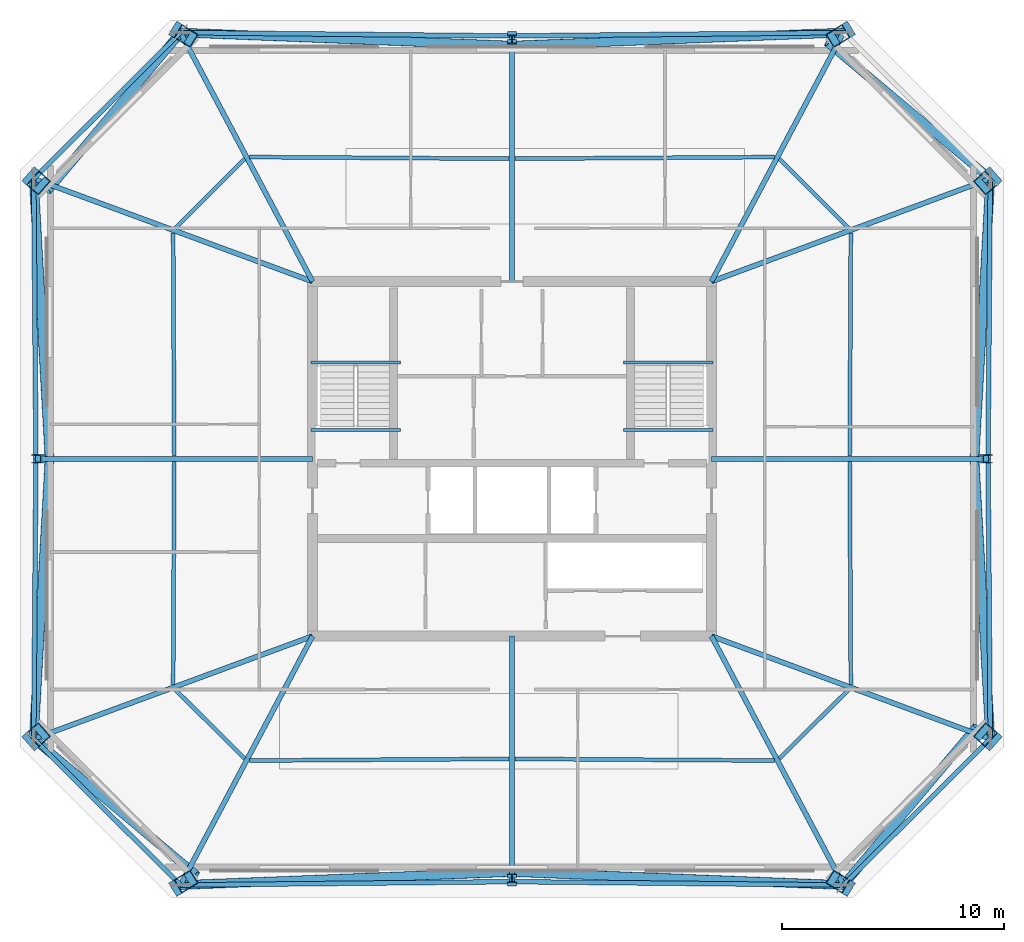
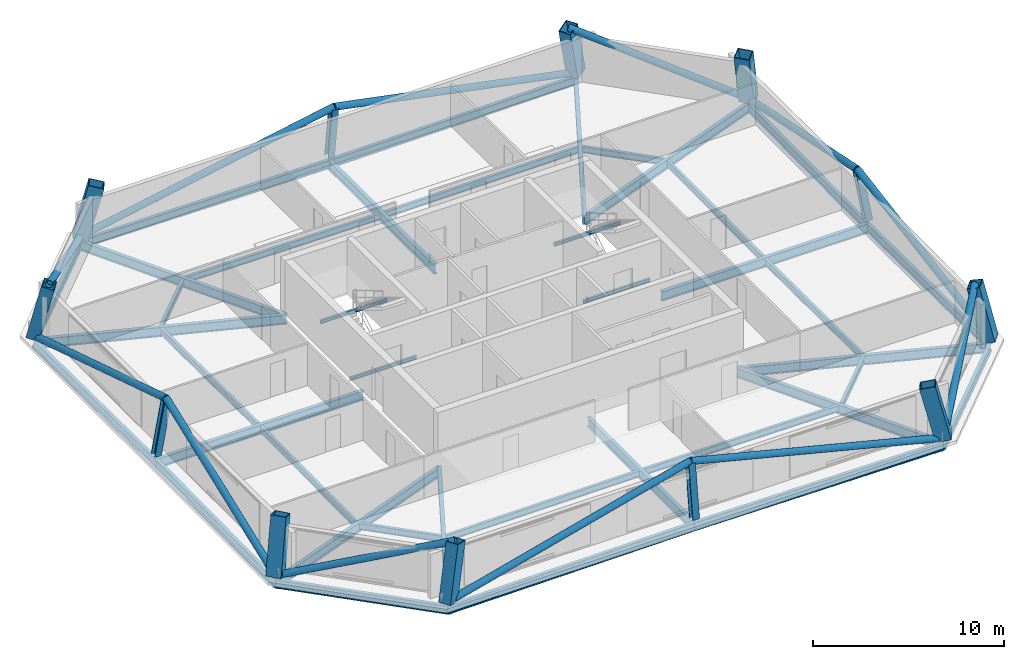
# One storey, part 1 of 6: 39 beams, 12 columns, 12 members.
"""IFC4 building model written with IfcOpenShell, lengths in metres."""

import ifcopenshell
import ifcopenshell.guid

model = None  # the IFC model being written
_history = None  # IfcOwnerHistory: only IFC2X3 demands one
_inside = {}  # id of a spatial element -> (the spatial element, [elements in it])
_under = {}  # id of a project, library or spatial element -> (it, [spatial elements below it])
_declared = {}  # id of a project -> (the project, [libraries it declares])
_typed = {}  # id of a type object -> (the type object, [elements of that type])
_made_of = {}  # id of a material, layer set ... -> (it, [elements and type objects made of it])


def new_model(schema):
    """Start an empty IFC model of exactly this schema.

    Asked for "IFC4X3", IfcOpenShell would pick the latest addendum, in which some entities
    have other attributes; the version numbers below select the first issue.
    IFC2X3 requires an IfcOwnerHistory on every rooted entity: one is made here for all.
    """
    global model, _history
    if schema == "IFC4X3":
        model = ifcopenshell.file(schema_version=(4, 3, 0, 0))
    else:
        model = ifcopenshell.file(schema=schema)
    _inside.clear()
    _under.clear()
    _declared.clear()
    _typed.clear()
    _made_of.clear()
    _history = None
    if model.schema == "IFC2X3":
        org = make("IfcOrganization", Name="unknown")
        user = make(
            "IfcPersonAndOrganization",
            ThePerson=make("IfcPerson", FamilyName="unknown"),
            TheOrganization=org,
        )
        app = make(
            "IfcApplication",
            ApplicationDeveloper=org,
            Version="unknown",
            ApplicationFullName="unknown",
            ApplicationIdentifier="unknown",
        )
        _history = make(
            "IfcOwnerHistory",
            OwningUser=user,
            OwningApplication=app,
            ChangeAction="ADDED",
            CreationDate=0,
        )
    return model


def make(cls, **values):
    """One entity of the class cls with the attributes given. An attribute that is None is left unset."""
    return model.create_entity(
        cls, **{name: value for name, value in values.items() if value is not None}
    )


def rooted(cls, **values):
    """An entity with a GlobalId (a new one), such as an element, a storey or a relation."""
    return make(cls, GlobalId=ifcopenshell.guid.new(), OwnerHistory=_history, **values)


def si_unit(unit_type, name, prefix=None):
    """IfcSIUnit, for example si_unit("LENGTHUNIT", "METRE", prefix="MILLI")."""
    return make("IfcSIUnit", UnitType=unit_type, Prefix=prefix, Name=name)


def assignment(units):
    """IfcUnitAssignment: the units of a project."""
    return None if units is None else make("IfcUnitAssignment", Units=units)


def point(xyz):
    """IfcCartesianPoint."""
    return None if xyz is None else make("IfcCartesianPoint", Coordinates=xyz)


def direction(xyz):
    """IfcDirection."""
    return None if xyz is None else make("IfcDirection", DirectionRatios=xyz)


def frame(location, z_axis=None, x_axis=None):
    """IfcAxis2Placement3D, a coordinate frame: its origin and axes. An axis left out is left unset."""
    return make(
        "IfcAxis2Placement3D",
        Location=point(location),
        Axis=direction(z_axis),
        RefDirection=direction(x_axis),
    )


def frame_2d(location, x_axis=None):
    """IfcAxis2Placement2D, a coordinate frame in the plane: its origin and x axis."""
    return make(
        "IfcAxis2Placement2D", Location=point(location), RefDirection=direction(x_axis)
    )


def origin():
    """The frame at (0, 0, 0) with its axes left unset."""
    return frame((0.0, 0.0, 0.0))


def origin_2d():
    """The frame at (0, 0) in the plane with its x axis left unset."""
    return frame_2d((0.0, 0.0))


def place(relative_to, where):
    """IfcLocalPlacement: puts the frame where relative to a parent placement (None: the world)."""
    return make(
        "IfcLocalPlacement", PlacementRelTo=relative_to, RelativePlacement=where
    )


def context(
    kind, dimensions, precision=None, world=None, true_north=None, identifier=None
):
    """IfcGeometricRepresentationContext, for example the 3D "Model" context."""
    return make(
        "IfcGeometricRepresentationContext",
        ContextIdentifier=identifier,
        ContextType=kind,
        CoordinateSpaceDimension=dimensions,
        Precision=precision,
        WorldCoordinateSystem=world,
        TrueNorth=true_north,
    )


def subcontext(parent, identifier, kind, view, scale=None):
    """IfcGeometricRepresentationSubContext, for example "Body" below "Model"."""
    return make(
        "IfcGeometricRepresentationSubContext",
        ContextIdentifier=identifier,
        ContextType=kind,
        ParentContext=parent,
        TargetScale=scale,
        TargetView=view,
    )


def project(units=None, contexts=None):
    """IfcProject with its units and contexts."""
    return rooted(
        "IfcProject",
        Name="project",
        RepresentationContexts=contexts,
        UnitsInContext=assignment(units),
    )


def spatial(cls, under=None, at=None, **own):
    """A site, building, storey or space (cls), placed at a placement, below another one or the project."""
    s = rooted(cls, ObjectPlacement=at, **own)
    if under is not None:
        _under.setdefault(under.id(), (under, []))[1].append(s)
    return s


def profile(cls, at=None, kind="AREA", **sizes):
    """A parametric profile (cls). Its sizes go by their IFC names, for example OverallWidth=200.0."""
    return make(cls, ProfileType=kind, Position=at, **sizes)


def hollow_rectangle(**sizes):
    """IfcRectangleHollowProfileDef."""
    return profile("IfcRectangleHollowProfileDef", **sizes)


def hollow_circle(**sizes):
    """IfcCircleHollowProfileDef."""
    return profile("IfcCircleHollowProfileDef", **sizes)


def i_section(**sizes):
    """IfcIShapeProfileDef."""
    return profile("IfcIShapeProfileDef", **sizes)


def extrude(swept, where, along, depth):
    """IfcExtrudedAreaSolid: the profile swept, set in the frame where, extruded along a direction by depth."""
    return make(
        "IfcExtrudedAreaSolid",
        SweptArea=swept,
        Position=where,
        ExtrudedDirection=direction(along),
        Depth=depth,
    )


def shape(context_of_items, identifier, shape_type, items):
    """IfcShapeRepresentation: the items that make up one representation, for example the "Body"."""
    return make(
        "IfcShapeRepresentation",
        ContextOfItems=context_of_items,
        RepresentationIdentifier=identifier,
        RepresentationType=shape_type,
        Items=items,
    )


def material(Name=None, Category=None):
    """IfcMaterial."""
    return make("IfcMaterial", Name=Name, Category=Category)


def material_profile(
    of_material, cross_section, Name=None, Category=None, Priority=None
):
    """IfcMaterialProfile: a cross section and its material."""
    return make(
        "IfcMaterialProfile",
        Name=Name,
        Material=of_material,
        Profile=cross_section,
        Priority=Priority,
        Category=Category,
    )


def profile_set(profiles, Name=None, composite=None):
    """IfcMaterialProfileSet."""
    return make(
        "IfcMaterialProfileSet",
        Name=Name,
        MaterialProfiles=profiles,
        CompositeProfile=composite,
    )


def made_of(thing, what):
    """Note that an element or type object is made of a material, layer set ...; save() writes the relation."""
    if what is not None:
        _made_of.setdefault(what.id(), (what, []))[1].append(thing)
    return thing


def type_object(cls, material=None, **own):
    """A type object (cls), such as IfcWallType, which elements share."""
    return made_of(rooted(cls, **own), material)


def element(
    cls,
    number,
    at=None,
    inside=None,
    cuts=None,
    type_object=None,
    material=None,
    context=None,
    identifier="Body",
    shape_type=None,
    held_by="IfcProductDefinitionShape",
    body=None,
    shapes=None,
    **own,
):
    """One element of the class cls, such as IfcWall. Its Tag is "e" and its number.

    at: its placement. inside: the storey or other place that contains it. cuts: it is an
    opening in that element (IfcRelVoidsElement). A single representation is given by context,
    identifier, shape_type and body (its items); several are given by shapes. held_by: the class
    of the entity that holds the representations. save() writes the other relations.
    """
    e = rooted(cls, Tag="e%d" % number, ObjectPlacement=at, **own)
    if body is not None:
        shapes = [shape(context, identifier, shape_type, body)]
    if shapes is not None:
        e.Representation = make(held_by, Representations=shapes)
    if inside is not None:
        _inside.setdefault(inside.id(), (inside, []))[1].append(e)
    if cuts is not None:
        rooted(
            "IfcRelVoidsElement", RelatingBuildingElement=cuts, RelatedOpeningElement=e
        )
    if type_object is not None:
        _typed.setdefault(type_object.id(), (type_object, []))[1].append(e)
    return made_of(e, material)


def aggregate(whole, parts):
    """IfcRelAggregates: a whole, such as a stair, and the parts it consists of."""
    return rooted("IfcRelAggregates", RelatingObject=whole, RelatedObjects=parts)


def save(model, path):
    """Write the relations noted so far, then the file.

    IfcRelAggregates (storeys below a building ...), IfcRelContainedInSpatialStructure (elements
    in a storey), IfcRelDefinesByType, IfcRelAssociatesMaterial and IfcRelDeclares: one each for
    every whole, place, type object, material and project.
    """
    for whole, parts in _under.values():
        aggregate(whole, parts)
    for where, things in _inside.values():
        rooted(
            "IfcRelContainedInSpatialStructure",
            RelatedElements=things,
            RelatingStructure=where,
        )
    for kind, things in _typed.values():
        rooted("IfcRelDefinesByType", RelatedObjects=things, RelatingType=kind)
    for what, things in _made_of.values():
        rooted("IfcRelAssociatesMaterial", RelatedObjects=things, RelatingMaterial=what)
    for by, libraries in _declared.values():
        rooted("IfcRelDeclares", RelatingContext=by, RelatedDefinitions=libraries)
    model.write(path)


model = new_model("IFC4")

# Units and contexts
model_context = context("Model", 3, precision=1e-05, world=origin(), true_north=direction((0.0, 1.0)))
body_context = subcontext(model_context, "Body", "Model", "MODEL_VIEW")
ifc_project = project(units=[si_unit("LENGTHUNIT", "METRE"), si_unit("AREAUNIT", "SQUARE_METRE"), si_unit("VOLUMEUNIT", "CUBIC_METRE"), si_unit("PLANEANGLEUNIT", "RADIAN"), si_unit("MASSUNIT", "GRAM", prefix="KILO")], contexts=[model_context])

# Site, building, storey
site_placement = place(None, origin())
site = spatial("IfcSite", under=ifc_project, at=site_placement, CompositionType="ELEMENT")
building_placement = place(site_placement, origin())
building = spatial("IfcBuilding", under=site, at=building_placement, Name="Caelvoria Tower", CompositionType="ELEMENT")
storey_placement = place(building_placement, frame((0.0, 0.0, 205.800048828125)))
storey = spatial("IfcBuildingStorey", under=building, at=storey_placement, Name="L54", CompositionType="ELEMENT", Elevation=205.800048828125)

# Columns
ifc_material_1 = material(Name="Structural Steel ASTM A572 Gr.50", Category="steel")
ifc_material_profile_1 = material_profile(ifc_material_1, hollow_rectangle(XDim=0.699951171875, YDim=0.85009765625, WallThickness=0.0400390625, at=origin_2d()), Name="Structural Steel ASTM A572 Gr.50")
ifc_profile_set_1 = profile_set([ifc_material_profile_1], Name="BOX850X700X40 - Structural Steel ASTM A572 Gr.50")
column_type_1 = type_object("IfcColumnType", Name="Mega Box Column 850x700x40", PredefinedType="COLUMN", material=ifc_profile_set_1)
for number, where, z_axis, x_axis, name in (
    (1, (31.0419921875, 12.768310546875, 0.0), (0.205843312043, 0.127115794881, 0.970293824354), (-0.52542489629, 0.850839983992, 0.0), "Perimeter Megaframe Column L54-P00"),
    (2, (60.9580078125, 12.768310546875, 0.0), (-0.205843312043, 0.127115794881, 0.970293824354), (-0.52542489629, -0.850839983992, 0.0), "Perimeter Megaframe Column L54-P02"),
):
    element("IfcColumn", number, at=place(storey_placement, frame(where, z_axis=z_axis, x_axis=x_axis)), inside=storey, type_object=column_type_1, Name=name, PredefinedType="COLUMN", context=body_context, shape_type="SweptSolid", body=[
        extrude(hollow_rectangle(XDim=0.699951171875, YDim=0.85009765625, WallThickness=0.0400390625, at=origin_2d()), origin(), (0.0, 0.0, 1.0), 3.476318359375),
    ])
for number, where, z_axis, x_axis, name in (
    (3, (67.57861328125, 19.36376953125, 0.0), (-0.177376248603, 0.15599544782, 0.971701130333), (0.729664280034, -0.64171109164, 0.236213702628), "Perimeter Megaframe Column L54-P03"),
    (4, (67.57861328125, 44.63623046875, 0.0), (-0.177376248603, -0.15599544782, 0.971701130333), (0.729664280034, 0.64171109164, 0.236213702628), "Perimeter Megaframe Column L54-P05"),
):
    element("IfcColumn", number, at=place(storey_placement, frame(where, z_axis=z_axis, x_axis=x_axis)), inside=storey, type_object=column_type_1, Name=name, PredefinedType="COLUMN", context=body_context, shape_type="SweptSolid", body=[
        extrude(hollow_rectangle(XDim=0.699951171875, YDim=0.85009765625, WallThickness=0.0400390625, at=origin_2d()), origin(), (0.0, 0.0, 1.0), 3.47119140625),
    ])
for number, where, z_axis, x_axis, name in (
    (5, (60.9580078125, 51.231689453125, 0.0), (-0.205843312043, -0.127115794881, 0.970293824354), (0.52542489629, -0.850839983992, 0.0), "Perimeter Megaframe Column L54-P06"),
    (6, (31.0419921875, 51.231689453125, 0.0), (0.205843312043, -0.127115794881, 0.970293824354), (0.52542489629, 0.850839983992, 0.0), "Perimeter Megaframe Column L54-P08"),
):
    element("IfcColumn", number, at=place(storey_placement, frame(where, z_axis=z_axis, x_axis=x_axis)), inside=storey, type_object=column_type_1, Name=name, PredefinedType="COLUMN", context=body_context, shape_type="SweptSolid", body=[
        extrude(hollow_rectangle(XDim=0.699951171875, YDim=0.85009765625, WallThickness=0.0400390625, at=origin_2d()), origin(), (0.0, 0.0, 1.0), 3.476318359375),
    ])
for number, where, z_axis, x_axis, name in (
    (7, (24.42138671875, 44.63623046875, 0.0), (0.177376248603, -0.15599544782, 0.971701130333), (-0.729664280034, 0.64171109164, 0.236213702628), "Perimeter Megaframe Column L54-P09"),
    (8, (24.42138671875, 19.36376953125, 0.0), (0.177376248603, 0.15599544782, 0.971701130333), (-0.729664280034, -0.64171109164, 0.236213702628), "Perimeter Megaframe Column L54-P11"),
):
    element("IfcColumn", number, at=place(storey_placement, frame(where, z_axis=z_axis, x_axis=x_axis)), inside=storey, type_object=column_type_1, Name=name, PredefinedType="COLUMN", context=body_context, shape_type="SweptSolid", body=[
        extrude(hollow_rectangle(XDim=0.699951171875, YDim=0.85009765625, WallThickness=0.0400390625, at=origin_2d()), origin(), (0.0, 0.0, 1.0), 3.47119140625),
    ])
ifc_material_2 = material(Name="Structural Steel ASTM A992 Gr.50", Category="steel")
ifc_material_profile_2 = material_profile(ifc_material_2, i_section(OverallWidth=0.40087890625, OverallDepth=0.39892578125, WebThickness=0.02490234375, FlangeThickness=0.03955078125, FilletRadius=0.02490234375, at=origin_2d()), Name="Structural Steel ASTM A992 Gr.50")
ifc_profile_set_2 = profile_set([ifc_material_profile_2], Name="W360X314 - Structural Steel ASTM A992 Gr.50")
column_type_2 = type_object("IfcColumnType", Name="Upper Frame Column W360X314", PredefinedType="COLUMN", material=ifc_profile_set_2)
column_1_placement = place(storey_placement, frame((46.0, 12.919921875, 0.0), z_axis=(0.0, 0.128344855493, 0.99172959927), x_axis=(-1.0, 0.0, 0.0)))
element("IfcColumn", 9, at=column_1_placement, inside=storey, type_object=column_type_2, Name="Perimeter Megaframe Column L54-P01", PredefinedType="COLUMN", context=body_context, shape_type="SweptSolid", body=[
    extrude(i_section(OverallWidth=0.40087890625, OverallDepth=0.39892578125, WebThickness=0.02490234375, FlangeThickness=0.03955078125, FilletRadius=0.02490234375, at=origin_2d()), origin(), (0.0, 0.0, 1.0), 3.401123046875),
])
column_2_placement = place(storey_placement, frame((67.47998046875, 32.0, 0.0), z_axis=(-0.178954370443, 0.0, 0.98385737447), x_axis=(0.98385737447, 0.0, 0.178954370443)))
element("IfcColumn", 10, at=column_2_placement, inside=storey, type_object=column_type_2, Name="Perimeter Megaframe Column L54-P04", PredefinedType="COLUMN", context=body_context, shape_type="SweptSolid", body=[
    extrude(i_section(OverallWidth=0.40087890625, OverallDepth=0.39892578125, WebThickness=0.02490234375, FlangeThickness=0.03955078125, FilletRadius=0.02490234375, at=origin_2d()), origin(), (0.0, 0.0, 1.0), 3.428466796875),
])
column_3_placement = place(storey_placement, frame((46.0, 51.080078125, 0.0), z_axis=(0.0, -0.128344855493, 0.99172959927), x_axis=(1.0, 0.0, 0.0)))
element("IfcColumn", 11, at=column_3_placement, inside=storey, type_object=column_type_2, Name="Perimeter Megaframe Column L54-P07", PredefinedType="COLUMN", context=body_context, shape_type="SweptSolid", body=[
    extrude(i_section(OverallWidth=0.40087890625, OverallDepth=0.39892578125, WebThickness=0.02490234375, FlangeThickness=0.03955078125, FilletRadius=0.02490234375, at=origin_2d()), origin(), (0.0, 0.0, 1.0), 3.401123046875),
])
column_4_placement = place(storey_placement, frame((24.52001953125, 32.0, 0.0), z_axis=(0.178954370443, 0.0, 0.98385737447), x_axis=(-0.98385737447, 0.0, 0.178954370443)))
element("IfcColumn", 12, at=column_4_placement, inside=storey, type_object=column_type_2, Name="Perimeter Megaframe Column L54-P10", PredefinedType="COLUMN", context=body_context, shape_type="SweptSolid", body=[
    extrude(i_section(OverallWidth=0.40087890625, OverallDepth=0.39892578125, WebThickness=0.02490234375, FlangeThickness=0.03955078125, FilletRadius=0.02490234375, at=origin_2d()), origin(), (0.0, 0.0, 1.0), 3.428466796875),
])

# Beams
ifc_material_profile_3 = material_profile(ifc_material_2, i_section(OverallWidth=0.134033203125, OverallDepth=0.2099609375, WebThickness=0.00634765625, FlangeThickness=0.01025390625, FilletRadius=0.010009765625, at=origin_2d()), Name="Structural Steel ASTM A992 Gr.50")
ifc_profile_set_3 = profile_set([ifc_material_profile_3], Name="W200X31.3 - Structural Steel ASTM A992 Gr.50")
beam_type_1 = type_object("IfcBeamType", Name="Canopy Edge Trim Beam W200X31.3", PredefinedType="BEAM", material=ifc_profile_set_3)
for number, where, z_axis, x_axis, name in (
    (13, (36.929931640625, 36.35009765625, 1.494873046875), (1.0, 0.0, 0.0), (0.0, 1.0, 0.0), "ST-01 Half-Landing Support Beam L54"),
    (14, (36.929931640625, 33.300048828125, -0.304931640625), (1.0, 0.0, 0.0), (0.0, 1.0, 0.0), "ST-01 Floor-Landing Support Beam L54"),
    (15, (51.030029296875, 36.35009765625, 1.494873046875), (1.0, 0.0, 0.0), (0.0, 1.0, 0.0), "ST-02 Half-Landing Support Beam L54"),
    (16, (51.030029296875, 33.300048828125, -0.304931640625), (1.0, 0.0, 0.0), (0.0, 1.0, 0.0), "ST-02 Floor-Landing Support Beam L54"),
):
    element("IfcBeam", number, at=place(storey_placement, frame(where, z_axis=z_axis, x_axis=x_axis)), inside=storey, type_object=beam_type_1, Name=name, PredefinedType="BEAM", context=body_context, shape_type="SweptSolid", body=[
        extrude(i_section(OverallWidth=0.134033203125, OverallDepth=0.2099609375, WebThickness=0.00634765625, FlangeThickness=0.01025390625, FilletRadius=0.010009765625, at=origin_2d()), origin(), (0.0, 0.0, 1.0), 4.0400390625),
    ])
ifc_material_profile_4 = material_profile(ifc_material_2, i_section(OverallWidth=0.22802734375, OverallDepth=0.60302734375, WebThickness=0.010498046875, FlangeThickness=0.014892578125, FilletRadius=0.01806640625, at=origin_2d()), Name="Structural Steel ASTM A992 Gr.50")
ifc_profile_set_4 = profile_set([ifc_material_profile_4], Name="W610X101 - Structural Steel ASTM A992 Gr.50")
beam_type_2 = type_object("IfcBeamType", Name="Primary Floor Girder W610X101", PredefinedType="BEAM", material=ifc_profile_set_4)
beam_1_placement = place(storey_placement, frame((37.0, 24.0, -0.526611328125), z_axis=(-0.468613670085, -0.883403208173, 0.0), x_axis=(0.883403208173, -0.468613670085, 0.0)))
element("IfcBeam", 17, at=beam_1_placement, inside=storey, type_object=beam_type_2, Name="Primary Floor Girder L54-00", PredefinedType="BEAM", context=body_context, shape_type="SweptSolid", body=[
    extrude(i_section(OverallWidth=0.22802734375, OverallDepth=0.60302734375, WebThickness=0.010498046875, FlangeThickness=0.014892578125, FilletRadius=0.01806640625, at=origin_2d()), origin(), (0.0, 0.0, 1.0), 12.714111328125),
])
beam_2_placement = place(storey_placement, frame((46.0, 24.0, -0.526611328125), z_axis=(0.0, -1.0, 0.0), x_axis=(1.0, 0.0, 0.0)))
element("IfcBeam", 18, at=beam_2_placement, inside=storey, type_object=beam_type_2, Name="Primary Floor Girder L54-01", PredefinedType="BEAM", context=body_context, shape_type="SweptSolid", body=[
    extrude(i_section(OverallWidth=0.22802734375, OverallDepth=0.60302734375, WebThickness=0.010498046875, FlangeThickness=0.014892578125, FilletRadius=0.01806640625, at=origin_2d()), origin(), (0.0, 0.0, 1.0), 11.080078125),
])
beam_3_placement = place(storey_placement, frame((55.0, 24.0, -0.526611328125), z_axis=(0.468613670085, -0.883403208173, 0.0), x_axis=(0.883403208173, 0.468613670085, 0.0)))
element("IfcBeam", 19, at=beam_3_placement, inside=storey, type_object=beam_type_2, Name="Primary Floor Girder L54-02", PredefinedType="BEAM", context=body_context, shape_type="SweptSolid", body=[
    extrude(i_section(OverallWidth=0.22802734375, OverallDepth=0.60302734375, WebThickness=0.010498046875, FlangeThickness=0.014892578125, FilletRadius=0.01806640625, at=origin_2d()), origin(), (0.0, 0.0, 1.0), 12.714111328125),
])
beam_4_placement = place(storey_placement, frame((55.0, 24.0, -0.526611328125), z_axis=(0.938294602718, -0.345837011483, 0.0), x_axis=(0.345837011483, 0.938294602718, 0.0)))
element("IfcBeam", 20, at=beam_4_placement, inside=storey, type_object=beam_type_2, Name="Primary Floor Girder L54-03", PredefinedType="BEAM", context=body_context, shape_type="SweptSolid", body=[
    extrude(i_section(OverallWidth=0.22802734375, OverallDepth=0.60302734375, WebThickness=0.010498046875, FlangeThickness=0.014892578125, FilletRadius=0.01806640625, at=origin_2d()), origin(), (0.0, 0.0, 1.0), 13.40576171875),
])
beam_5_placement = place(storey_placement, frame((55.0, 32.0, -0.526611328125), z_axis=(1.0, 0.0, 0.0), x_axis=(0.0, 1.0, 0.0)))
element("IfcBeam", 21, at=beam_5_placement, inside=storey, type_object=beam_type_2, Name="Primary Floor Girder L54-04", PredefinedType="BEAM", context=body_context, shape_type="SweptSolid", body=[
    extrude(i_section(OverallWidth=0.22802734375, OverallDepth=0.60302734375, WebThickness=0.010498046875, FlangeThickness=0.014892578125, FilletRadius=0.01806640625, at=origin_2d()), origin(), (0.0, 0.0, 1.0), 12.47998046875),
])
beam_6_placement = place(storey_placement, frame((55.0, 40.0, -0.526611328125), z_axis=(0.938294602718, 0.345837011483, 0.0), x_axis=(-0.345837011483, 0.938294602718, 0.0)))
element("IfcBeam", 22, at=beam_6_placement, inside=storey, type_object=beam_type_2, Name="Primary Floor Girder L54-05", PredefinedType="BEAM", context=body_context, shape_type="SweptSolid", body=[
    extrude(i_section(OverallWidth=0.22802734375, OverallDepth=0.60302734375, WebThickness=0.010498046875, FlangeThickness=0.014892578125, FilletRadius=0.01806640625, at=origin_2d()), origin(), (0.0, 0.0, 1.0), 13.40576171875),
])
beam_7_placement = place(storey_placement, frame((55.0, 40.0, -0.526611328125), z_axis=(0.468613670085, 0.883403208173, 0.0), x_axis=(-0.883403208173, 0.468613670085, 0.0)))
element("IfcBeam", 23, at=beam_7_placement, inside=storey, type_object=beam_type_2, Name="Primary Floor Girder L54-06", PredefinedType="BEAM", context=body_context, shape_type="SweptSolid", body=[
    extrude(i_section(OverallWidth=0.22802734375, OverallDepth=0.60302734375, WebThickness=0.010498046875, FlangeThickness=0.014892578125, FilletRadius=0.01806640625, at=origin_2d()), origin(), (0.0, 0.0, 1.0), 12.714111328125),
])
beam_8_placement = place(storey_placement, frame((46.0, 40.0, -0.526611328125), z_axis=(0.0, 1.0, 0.0), x_axis=(-1.0, 0.0, 0.0)))
element("IfcBeam", 24, at=beam_8_placement, inside=storey, type_object=beam_type_2, Name="Primary Floor Girder L54-07", PredefinedType="BEAM", context=body_context, shape_type="SweptSolid", body=[
    extrude(i_section(OverallWidth=0.22802734375, OverallDepth=0.60302734375, WebThickness=0.010498046875, FlangeThickness=0.014892578125, FilletRadius=0.01806640625, at=origin_2d()), origin(), (0.0, 0.0, 1.0), 11.080078125),
])
beam_9_placement = place(storey_placement, frame((37.0, 40.0, -0.526611328125), z_axis=(-0.468613670085, 0.883403208173, 0.0), x_axis=(-0.883403208173, -0.468613670085, 0.0)))
element("IfcBeam", 25, at=beam_9_placement, inside=storey, type_object=beam_type_2, Name="Primary Floor Girder L54-08", PredefinedType="BEAM", context=body_context, shape_type="SweptSolid", body=[
    extrude(i_section(OverallWidth=0.22802734375, OverallDepth=0.60302734375, WebThickness=0.010498046875, FlangeThickness=0.014892578125, FilletRadius=0.01806640625, at=origin_2d()), origin(), (0.0, 0.0, 1.0), 12.714111328125),
])
beam_10_placement = place(storey_placement, frame((37.0, 40.0, -0.526611328125), z_axis=(-0.938294602718, 0.345837011483, 0.0), x_axis=(-0.345837011483, -0.938294602718, 0.0)))
element("IfcBeam", 26, at=beam_10_placement, inside=storey, type_object=beam_type_2, Name="Primary Floor Girder L54-09", PredefinedType="BEAM", context=body_context, shape_type="SweptSolid", body=[
    extrude(i_section(OverallWidth=0.22802734375, OverallDepth=0.60302734375, WebThickness=0.010498046875, FlangeThickness=0.014892578125, FilletRadius=0.01806640625, at=origin_2d()), origin(), (0.0, 0.0, 1.0), 13.40576171875),
])
beam_11_placement = place(storey_placement, frame((37.0, 32.0, -0.526611328125), z_axis=(-1.0, 0.0, 0.0), x_axis=(0.0, -1.0, 0.0)))
element("IfcBeam", 27, at=beam_11_placement, inside=storey, type_object=beam_type_2, Name="Primary Floor Girder L54-10", PredefinedType="BEAM", context=body_context, shape_type="SweptSolid", body=[
    extrude(i_section(OverallWidth=0.22802734375, OverallDepth=0.60302734375, WebThickness=0.010498046875, FlangeThickness=0.014892578125, FilletRadius=0.01806640625, at=origin_2d()), origin(), (0.0, 0.0, 1.0), 12.47998046875),
])
beam_12_placement = place(storey_placement, frame((37.0, 24.0, -0.526611328125), z_axis=(-0.938294602718, -0.345837011483, 0.0), x_axis=(0.345837011483, -0.938294602718, 0.0)))
element("IfcBeam", 28, at=beam_12_placement, inside=storey, type_object=beam_type_2, Name="Primary Floor Girder L54-11", PredefinedType="BEAM", context=body_context, shape_type="SweptSolid", body=[
    extrude(i_section(OverallWidth=0.22802734375, OverallDepth=0.60302734375, WebThickness=0.010498046875, FlangeThickness=0.014892578125, FilletRadius=0.01806640625, at=origin_2d()), origin(), (0.0, 0.0, 1.0), 13.40576171875),
])
ifc_material_profile_5 = material_profile(ifc_material_2, i_section(OverallWidth=0.177978515625, OverallDepth=0.406982421875, WebThickness=0.0078125, FlangeThickness=0.0126953125, FilletRadius=0.013916015625, at=origin_2d()), Name="Structural Steel ASTM A992 Gr.50")
ifc_profile_set_5 = profile_set([ifc_material_profile_5], Name="W410X60 - Structural Steel ASTM A992 Gr.50")
beam_type_3 = type_object("IfcBeamType", Name="Secondary Floor Beam W410X60", PredefinedType="BEAM", material=ifc_profile_set_5)
for number, where, z_axis, x_axis, name in (
    (29, (34.14599609375, 18.385009765625, -0.428466796875), (0.999979980097, 0.00632766983, 0.0), (-0.00632766983, 0.999979980097, 0.0), "Secondary Floor Beam L54-00"),
    (30, (46.125, 18.459228515625, -0.428466796875), (0.999979980097, -0.00632766983, 0.0), (0.00632766983, 0.999979980097, 0.0), "Secondary Floor Beam L54-01"),
):
    element("IfcBeam", number, at=place(storey_placement, frame(where, z_axis=z_axis, x_axis=x_axis)), inside=storey, type_object=beam_type_3, Name=name, PredefinedType="BEAM", context=body_context, shape_type="SweptSolid", body=[
        extrude(i_section(OverallWidth=0.177978515625, OverallDepth=0.406982421875, WebThickness=0.0078125, FlangeThickness=0.0126953125, FilletRadius=0.013916015625, at=origin_2d()), origin(), (0.0, 0.0, 1.0), 11.729248046875),
    ])
beam_13_placement = place(storey_placement, frame((58.067626953125, 18.472412109375, -0.428466796875), z_axis=(0.708430431298, 0.705780648652, 0.0), x_axis=(-0.705780648652, 0.708430431298, 0.0)))
element("IfcBeam", 31, at=beam_13_placement, inside=storey, type_object=beam_type_3, Name="Secondary Floor Beam L54-02", PredefinedType="BEAM", context=body_context, shape_type="SweptSolid", body=[
    extrude(i_section(OverallWidth=0.177978515625, OverallDepth=0.406982421875, WebThickness=0.0078125, FlangeThickness=0.0126953125, FilletRadius=0.013916015625, at=origin_2d()), origin(), (0.0, 0.0, 1.0), 4.422607421875),
])
for number, where, z_axis, x_axis, name in (
    (32, (61.288818359375, 21.806884765625, -0.428466796875), (-0.004801225002, 0.999988474053, 0.0), (-0.999988474053, -0.004801225002, 0.0), "Secondary Floor Beam L54-03"),
    (33, (61.240478515625, 32.125, -0.428466796875), (0.004801225002, 0.999988474053, 0.0), (-0.999988474053, 0.004801225002, 0.0), "Secondary Floor Beam L54-04"),
):
    element("IfcBeam", number, at=place(storey_placement, frame(where, z_axis=z_axis, x_axis=x_axis)), inside=storey, type_object=beam_type_3, Name=name, PredefinedType="BEAM", context=body_context, shape_type="SweptSolid", body=[
        extrude(i_section(OverallWidth=0.177978515625, OverallDepth=0.406982421875, WebThickness=0.0078125, FlangeThickness=0.0126953125, FilletRadius=0.013916015625, at=origin_2d()), origin(), (0.0, 0.0, 1.0), 10.068115234375),
    ])
beam_14_placement = place(storey_placement, frame((61.20068359375, 42.40625, -0.428466796875), z_axis=(-0.708430431298, 0.705780648652, 0.0), x_axis=(-0.705780648652, -0.708430431298, 0.0)))
element("IfcBeam", 34, at=beam_14_placement, inside=storey, type_object=beam_type_3, Name="Secondary Floor Beam L54-05", PredefinedType="BEAM", context=body_context, shape_type="SweptSolid", body=[
    extrude(i_section(OverallWidth=0.177978515625, OverallDepth=0.406982421875, WebThickness=0.0078125, FlangeThickness=0.0126953125, FilletRadius=0.013916015625, at=origin_2d()), origin(), (0.0, 0.0, 1.0), 4.422607421875),
])
for number, where, z_axis, x_axis, name in (
    (35, (57.85400390625, 45.614990234375, -0.428466796875), (-0.999979980097, -0.00632766983, 0.0), (0.00632766983, -0.999979980097, 0.0), "Secondary Floor Beam L54-06"),
    (36, (45.875, 45.540771484375, -0.428466796875), (-0.999979980097, 0.00632766983, 0.0), (-0.00632766983, -0.999979980097, 0.0), "Secondary Floor Beam L54-07"),
):
    element("IfcBeam", number, at=place(storey_placement, frame(where, z_axis=z_axis, x_axis=x_axis)), inside=storey, type_object=beam_type_3, Name=name, PredefinedType="BEAM", context=body_context, shape_type="SweptSolid", body=[
        extrude(i_section(OverallWidth=0.177978515625, OverallDepth=0.406982421875, WebThickness=0.0078125, FlangeThickness=0.0126953125, FilletRadius=0.013916015625, at=origin_2d()), origin(), (0.0, 0.0, 1.0), 11.729248046875),
    ])
beam_15_placement = place(storey_placement, frame((33.932373046875, 45.527587890625, -0.428466796875), z_axis=(-0.708430431298, -0.705780648652, 0.0), x_axis=(0.705780648652, -0.708430431298, 0.0)))
element("IfcBeam", 37, at=beam_15_placement, inside=storey, type_object=beam_type_3, Name="Secondary Floor Beam L54-08", PredefinedType="BEAM", context=body_context, shape_type="SweptSolid", body=[
    extrude(i_section(OverallWidth=0.177978515625, OverallDepth=0.406982421875, WebThickness=0.0078125, FlangeThickness=0.0126953125, FilletRadius=0.013916015625, at=origin_2d()), origin(), (0.0, 0.0, 1.0), 4.422607421875),
])
for number, where, z_axis, x_axis, name in (
    (38, (30.711181640625, 42.193115234375, -0.428466796875), (0.004801225002, -0.999988474053, 0.0), (0.999988474053, 0.004801225002, 0.0), "Secondary Floor Beam L54-09"),
    (39, (30.759521484375, 31.875, -0.428466796875), (-0.004801225002, -0.999988474053, 0.0), (0.999988474053, -0.004801225002, 0.0), "Secondary Floor Beam L54-10"),
):
    element("IfcBeam", number, at=place(storey_placement, frame(where, z_axis=z_axis, x_axis=x_axis)), inside=storey, type_object=beam_type_3, Name=name, PredefinedType="BEAM", context=body_context, shape_type="SweptSolid", body=[
        extrude(i_section(OverallWidth=0.177978515625, OverallDepth=0.406982421875, WebThickness=0.0078125, FlangeThickness=0.0126953125, FilletRadius=0.013916015625, at=origin_2d()), origin(), (0.0, 0.0, 1.0), 10.068115234375),
    ])
beam_16_placement = place(storey_placement, frame((30.79931640625, 21.59375, -0.428466796875), z_axis=(0.708430431298, -0.705780648652, 0.0), x_axis=(0.705780648652, 0.708430431298, 0.0)))
element("IfcBeam", 40, at=beam_16_placement, inside=storey, type_object=beam_type_3, Name="Secondary Floor Beam L54-11", PredefinedType="BEAM", context=body_context, shape_type="SweptSolid", body=[
    extrude(i_section(OverallWidth=0.177978515625, OverallDepth=0.406982421875, WebThickness=0.0078125, FlangeThickness=0.0126953125, FilletRadius=0.013916015625, at=origin_2d()), origin(), (0.0, 0.0, 1.0), 4.422607421875),
])

# Members
ifc_material_profile_6 = material_profile(ifc_material_1, hollow_circle(Radius=0.202880859375, WallThickness=0.01611328125, at=origin_2d()), Name="Structural Steel ASTM A572 Gr.50")
ifc_profile_set_6 = profile_set([ifc_material_profile_6], Name="CHS406X16 - Structural Steel ASTM A572 Gr.50")
member_type = type_object("IfcMemberType", Name="Upper Perimeter Mega Brace CHS406X16", PredefinedType="BRACE", material=ifc_profile_set_6)
member_1_placement = place(storey_placement, frame((60.9580078125, 12.768310546875, 0.0), z_axis=(0.605395276098, 0.719528382915, 0.340257940184), x_axis=(-0.765185355316, 0.643810043422, 0.0)))
element("IfcMember", 41, at=member_1_placement, inside=storey, type_object=member_type, Name="Perimeter Chamfer Mega Brace L54 SE", PredefinedType="BRACE", context=body_context, shape_type="SweptSolid", body=[
    extrude(hollow_circle(Radius=0.202880859375, WallThickness=0.01611328125, at=origin_2d()), origin(), (0.0, 0.0, 1.0), 9.9189453125),
])
member_2_placement = place(storey_placement, frame((67.57861328125, 44.63623046875, 0.0), z_axis=(-0.722587020829, 0.60610355952, 0.332425138139), x_axis=(-0.642651371045, -0.766158740271, 0.0)))
element("IfcMember", 42, at=member_2_placement, inside=storey, type_object=member_type, Name="Perimeter Chamfer Mega Brace L54 NE", PredefinedType="BRACE", context=body_context, shape_type="SweptSolid", body=[
    extrude(hollow_circle(Radius=0.202880859375, WallThickness=0.01611328125, at=origin_2d()), origin(), (0.0, 0.0, 1.0), 10.152587890625),
])
member_3_placement = place(storey_placement, frame((31.0419921875, 51.231689453125, 0.0), z_axis=(-0.605395276098, -0.719528382915, 0.340257940184), x_axis=(0.765185355316, -0.643810043422, 0.0)))
element("IfcMember", 43, at=member_3_placement, inside=storey, type_object=member_type, Name="Perimeter Chamfer Mega Brace L54 NW", PredefinedType="BRACE", context=body_context, shape_type="SweptSolid", body=[
    extrude(hollow_circle(Radius=0.202880859375, WallThickness=0.01611328125, at=origin_2d()), origin(), (0.0, 0.0, 1.0), 9.9189453125),
])
member_4_placement = place(storey_placement, frame((24.42138671875, 19.36376953125, 0.0), z_axis=(0.722587020829, -0.60610355952, 0.332425138139), x_axis=(0.642651371045, 0.766158740271, 0.0)))
element("IfcMember", 44, at=member_4_placement, inside=storey, type_object=member_type, Name="Perimeter Chamfer Mega Brace L54 SW", PredefinedType="BRACE", context=body_context, shape_type="SweptSolid", body=[
    extrude(hollow_circle(Radius=0.202880859375, WallThickness=0.01611328125, at=origin_2d()), origin(), (0.0, 0.0, 1.0), 10.152587890625),
])
for number, where, z_axis, x_axis, name in (
    (45, (31.0419921875, 12.768310546875, 0.0), (0.974760904146, 0.038326679802, 0.219936912237), (-0.039288699052, 0.999227900995, 0.0), "Perimeter Cardinal Mega Brace L54 SA"),
    (46, (60.9580078125, 12.768310546875, 0.0), (-0.974760904146, 0.038326679802, 0.219936912237), (-0.039288699052, -0.999227900995, 0.0), "Perimeter Cardinal Mega Brace L54 SB"),
):
    element("IfcMember", number, at=place(storey_placement, frame(where, z_axis=z_axis, x_axis=x_axis)), inside=storey, type_object=member_type, Name=name, PredefinedType="BRACE", context=body_context, shape_type="SweptSolid", body=[
        extrude(hollow_circle(Radius=0.202880859375, WallThickness=0.01611328125, at=origin_2d()), origin(), (0.0, 0.0, 1.0), 15.34521484375),
    ])
for number, where, z_axis, x_axis, name in (
    (47, (67.57861328125, 19.36376953125, 0.0), (-0.054369223315, 0.964704237354, 0.25766203055), (-0.998415636551, -0.056269145095, 0.0), "Perimeter Cardinal Mega Brace L54 EA"),
    (48, (67.57861328125, 44.63623046875, 0.0), (-0.054369223315, -0.964704237354, 0.25766203055), (0.998415636551, -0.056269145095, 0.0), "Perimeter Cardinal Mega Brace L54 EB"),
):
    element("IfcMember", number, at=place(storey_placement, frame(where, z_axis=z_axis, x_axis=x_axis)), inside=storey, type_object=member_type, Name=name, PredefinedType="BRACE", context=body_context, shape_type="SweptSolid", body=[
        extrude(hollow_circle(Radius=0.202880859375, WallThickness=0.01611328125, at=origin_2d()), origin(), (0.0, 0.0, 1.0), 13.0986328125),
    ])
for number, where, z_axis, x_axis, name in (
    (49, (60.9580078125, 51.231689453125, 0.0), (-0.974760904146, -0.038326679802, 0.219936912237), (0.039288699052, -0.999227900995, 0.0), "Perimeter Cardinal Mega Brace L54 NA"),
    (50, (31.0419921875, 51.231689453125, 0.0), (0.974760904146, -0.038326679802, 0.219936912237), (0.039288699052, 0.999227900995, 0.0), "Perimeter Cardinal Mega Brace L54 NB"),
):
    element("IfcMember", number, at=place(storey_placement, frame(where, z_axis=z_axis, x_axis=x_axis)), inside=storey, type_object=member_type, Name=name, PredefinedType="BRACE", context=body_context, shape_type="SweptSolid", body=[
        extrude(hollow_circle(Radius=0.202880859375, WallThickness=0.01611328125, at=origin_2d()), origin(), (0.0, 0.0, 1.0), 15.34521484375),
    ])
for number, where, z_axis, x_axis, name in (
    (51, (24.42138671875, 44.63623046875, 0.0), (0.054369223315, -0.964704237354, 0.25766203055), (0.998415636551, 0.056269145095, 0.0), "Perimeter Cardinal Mega Brace L54 WA"),
    (52, (24.42138671875, 19.36376953125, 0.0), (0.054369223315, 0.964704237354, 0.25766203055), (-0.998415636551, 0.056269145095, 0.0), "Perimeter Cardinal Mega Brace L54 WB"),
):
    element("IfcMember", number, at=place(storey_placement, frame(where, z_axis=z_axis, x_axis=x_axis)), inside=storey, type_object=member_type, Name=name, PredefinedType="BRACE", context=body_context, shape_type="SweptSolid", body=[
        extrude(hollow_circle(Radius=0.202880859375, WallThickness=0.01611328125, at=origin_2d()), origin(), (0.0, 0.0, 1.0), 13.0986328125),
    ])

# Beams
ifc_material_profile_7 = material_profile(ifc_material_2, i_section(OverallWidth=0.208984375, OverallDepth=0.532958984375, WebThickness=0.01025390625, FlangeThickness=0.015625, FilletRadius=0.01611328125, at=origin_2d()), Name="Structural Steel ASTM A992 Gr.50")
ifc_profile_set_7 = profile_set([ifc_material_profile_7], Name="W530X92 - Structural Steel ASTM A992 Gr.50")
beam_type_4 = type_object("IfcBeamType", Name="Upper Zone Spandrel W530X92", PredefinedType="BEAM", material=ifc_profile_set_7)
for number, where, z_axis, x_axis, name in (
    (53, (31.0419921875, 12.768310546875, -0.491455078125), (0.999948636769, 0.01013527622, 0.0), (-0.01013527622, 0.999948636769, 0.0), "Perimeter Spandrel Girder L54-00"),
    (54, (46.0, 12.919921875, -0.491455078125), (0.999948636769, -0.01013527622, 0.0), (0.01013527622, 0.999948636769, 0.0), "Perimeter Spandrel Girder L54-01"),
):
    element("IfcBeam", number, at=place(storey_placement, frame(where, z_axis=z_axis, x_axis=x_axis)), inside=storey, type_object=beam_type_4, Name=name, PredefinedType="BEAM", context=body_context, shape_type="SweptSolid", body=[
        extrude(i_section(OverallWidth=0.208984375, OverallDepth=0.532958984375, WebThickness=0.01025390625, FlangeThickness=0.015625, FilletRadius=0.01611328125, at=origin_2d()), origin(), (0.0, 0.0, 1.0), 14.958740234375),
    ])
beam_17_placement = place(storey_placement, frame((60.9580078125, 12.768310546875, -0.491455078125), z_axis=(0.708450925744, 0.705760076664, 0.0), x_axis=(-0.705760076664, 0.708450925744, 0.0)))
element("IfcBeam", 55, at=beam_17_placement, inside=storey, type_object=beam_type_4, Name="Perimeter Spandrel Girder L54-02", PredefinedType="BEAM", context=body_context, shape_type="SweptSolid", body=[
    extrude(i_section(OverallWidth=0.208984375, OverallDepth=0.532958984375, WebThickness=0.01025390625, FlangeThickness=0.015625, FilletRadius=0.01611328125, at=origin_2d()), origin(), (0.0, 0.0, 1.0), 9.34521484375),
])
for number, where, z_axis, x_axis, name in (
    (56, (67.57861328125, 19.36376953125, -0.491455078125), (-0.007805318856, 0.999969538035, 0.0), (-0.999969538035, -0.007805318856, 0.0), "Perimeter Spandrel Girder L54-03"),
    (57, (67.47998046875, 32.0, -0.491455078125), (0.007805318856, 0.999969538035, 0.0), (-0.999969538035, 0.007805318856, 0.0), "Perimeter Spandrel Girder L54-04"),
):
    element("IfcBeam", number, at=place(storey_placement, frame(where, z_axis=z_axis, x_axis=x_axis)), inside=storey, type_object=beam_type_4, Name=name, PredefinedType="BEAM", context=body_context, shape_type="SweptSolid", body=[
        extrude(i_section(OverallWidth=0.208984375, OverallDepth=0.532958984375, WebThickness=0.01025390625, FlangeThickness=0.015625, FilletRadius=0.01611328125, at=origin_2d()), origin(), (0.0, 0.0, 1.0), 12.63671875),
    ])
for number, where, z_axis, x_axis, name in (
    (58, (60.9580078125, 51.231689453125, -0.491455078125), (-0.999948636769, -0.01013527622, 0.0), (0.01013527622, -0.999948636769, 0.0), "Perimeter Spandrel Girder L54-06"),
    (59, (46.0, 51.080078125, -0.491455078125), (-0.999948636769, 0.01013527622, 0.0), (-0.01013527622, -0.999948636769, 0.0), "Perimeter Spandrel Girder L54-07"),
):
    element("IfcBeam", number, at=place(storey_placement, frame(where, z_axis=z_axis, x_axis=x_axis)), inside=storey, type_object=beam_type_4, Name=name, PredefinedType="BEAM", context=body_context, shape_type="SweptSolid", body=[
        extrude(i_section(OverallWidth=0.208984375, OverallDepth=0.532958984375, WebThickness=0.01025390625, FlangeThickness=0.015625, FilletRadius=0.01611328125, at=origin_2d()), origin(), (0.0, 0.0, 1.0), 14.958740234375),
    ])
beam_18_placement = place(storey_placement, frame((31.0419921875, 51.231689453125, -0.491455078125), z_axis=(-0.708450925744, -0.705760076664, 0.0), x_axis=(0.705760076664, -0.708450925744, 0.0)))
element("IfcBeam", 60, at=beam_18_placement, inside=storey, type_object=beam_type_4, Name="Perimeter Spandrel Girder L54-08", PredefinedType="BEAM", context=body_context, shape_type="SweptSolid", body=[
    extrude(i_section(OverallWidth=0.208984375, OverallDepth=0.532958984375, WebThickness=0.01025390625, FlangeThickness=0.015625, FilletRadius=0.01611328125, at=origin_2d()), origin(), (0.0, 0.0, 1.0), 9.34521484375),
])
for number, where, z_axis, x_axis, name in (
    (61, (24.42138671875, 44.63623046875, -0.491455078125), (0.007805318856, -0.999969538035, 0.0), (0.999969538035, 0.007805318856, 0.0), "Perimeter Spandrel Girder L54-09"),
    (62, (24.52001953125, 32.0, -0.491455078125), (-0.007805318856, -0.999969538035, 0.0), (0.999969538035, -0.007805318856, 0.0), "Perimeter Spandrel Girder L54-10"),
):
    element("IfcBeam", number, at=place(storey_placement, frame(where, z_axis=z_axis, x_axis=x_axis)), inside=storey, type_object=beam_type_4, Name=name, PredefinedType="BEAM", context=body_context, shape_type="SweptSolid", body=[
        extrude(i_section(OverallWidth=0.208984375, OverallDepth=0.532958984375, WebThickness=0.01025390625, FlangeThickness=0.015625, FilletRadius=0.01611328125, at=origin_2d()), origin(), (0.0, 0.0, 1.0), 12.63671875),
    ])
beam_19_placement = place(storey_placement, frame((24.42138671875, 19.36376953125, -0.491455078125), z_axis=(0.708450925744, -0.705760076664, 0.0), x_axis=(0.705760076664, 0.708450925744, 0.0)))
element("IfcBeam", 63, at=beam_19_placement, inside=storey, type_object=beam_type_4, Name="Perimeter Spandrel Girder L54-11", PredefinedType="BEAM", context=body_context, shape_type="SweptSolid", body=[
    extrude(i_section(OverallWidth=0.208984375, OverallDepth=0.532958984375, WebThickness=0.01025390625, FlangeThickness=0.015625, FilletRadius=0.01611328125, at=origin_2d()), origin(), (0.0, 0.0, 1.0), 9.34521484375),
])

save(model, "model.ifc")
